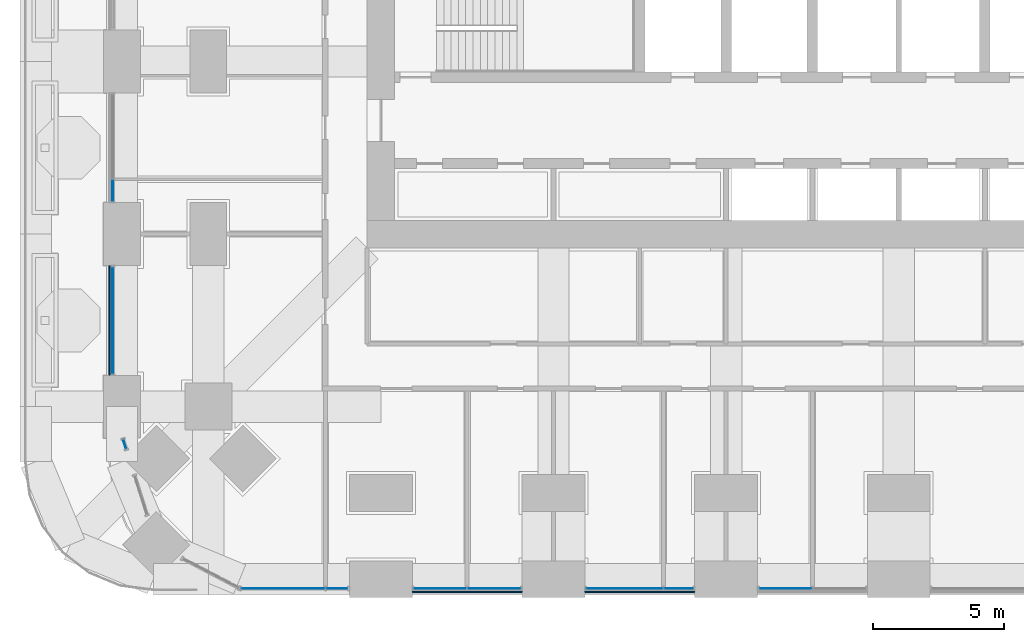
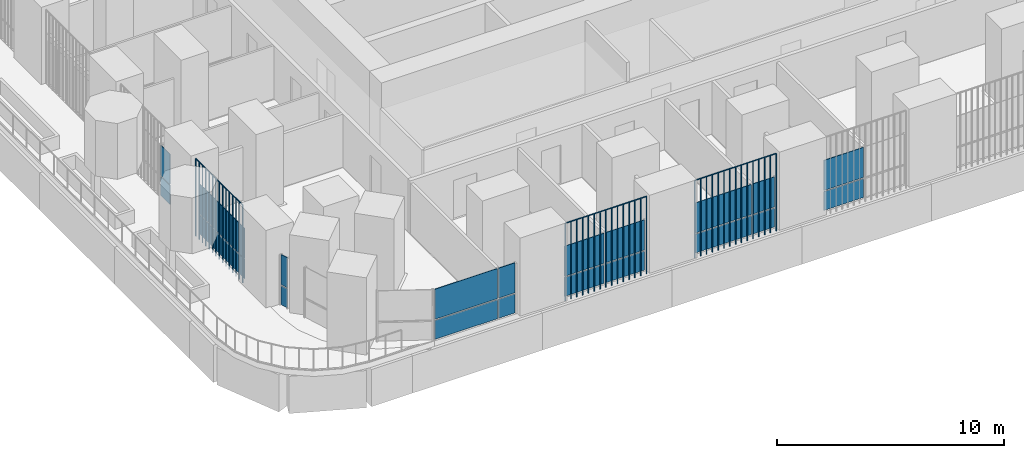
# One storey, part 10 of 27: 23 plates, 7 elements without a shape of their own.
"""IFC4 building model written with IfcOpenShell, lengths in metres."""

from ifc_helpers import new_model, si_unit, direction, frame, origin, origin_2d, place, context, subcontext, project, spatial, polyline, rectangle, outline, extrude, material, layer, layer_set, type_object, element, aggregate, save


model = new_model("IFC4")

# Units and contexts
model_context = context("Model", 3, precision=1e-05, world=origin(), true_north=direction((0.0, 1.0)))
body_context = subcontext(model_context, "Body", "Model", "MODEL_VIEW")
ifc_project = project(units=[si_unit("LENGTHUNIT", "METRE"), si_unit("AREAUNIT", "SQUARE_METRE"), si_unit("VOLUMEUNIT", "CUBIC_METRE"), si_unit("PLANEANGLEUNIT", "RADIAN"), si_unit("MASSUNIT", "GRAM", prefix="KILO")], contexts=[model_context])

# Site, building, storey
site_placement = place(None, origin())
site = spatial("IfcSite", under=ifc_project, at=site_placement, CompositionType="ELEMENT")
building_placement = place(site_placement, origin())
building = spatial("IfcBuilding", under=site, at=building_placement, Name="Cobogo Forest Laboratory Tower", CompositionType="ELEMENT")
storey_placement = place(building_placement, frame((0.0, 0.0, 82.199951171875)))
storey = spatial("IfcBuildingStorey", under=building, at=storey_placement, Name="L18", CompositionType="ELEMENT", Elevation=82.199951171875)

# Curtain wall, plates
ifc_material_1 = material(Name="Aluminium curtain wall", Category="aluminium")
curtain_wall_type = type_object("IfcCurtainWallType", Name="CW-1 unitised curtain wall, clear glazing, laboratory floors zones A and B", PredefinedType="USERDEFINED", material=ifc_material_1)
curtain_wall_1_placement = place(storey_placement, origin())
curtain_wall_1 = element("IfcCurtainWall", 1, at=curtain_wall_1_placement, inside=storey, type_object=curtain_wall_type, Name="Curtain wall 01 L18", ObjectType="UNITISED CURTAIN WALL", PredefinedType="USERDEFINED")
ifc_material_2 = material(Name="Clear insulated glass", Category="glass")
ifc_layer = layer(ifc_material_2, 0.028076171875)
ifc_layer_set = layer_set([ifc_layer], Name="GP-1 clear insulated glass unit 28")
plate_type_1 = type_object("IfcPlateType", Name="GP-1 clear insulated glass unit 28", PredefinedType="CURTAIN_PANEL", material=ifc_layer_set)
plate_1_placement = place(storey_placement, frame((9.452392578125, -0.35009765625, 0.0), z_axis=(0.0, 0.0, 1.0), x_axis=(1.0, 0.0, 0.0)))
plate_1 = element("IfcPlate", 2, at=plate_1_placement, type_object=plate_type_1, Name="CW-1 panel 1.1", PredefinedType="CURTAIN_PANEL", context=body_context, shape_type="SweptSolid", body=[
    extrude(rectangle(XDim=3.18505859375, YDim=0.028076171875, at=origin_2d()), origin(), (0.0, 0.0, 1.0), 1.02001953125),
])
plate_2_placement = place(storey_placement, frame((9.452392578125, -0.35009765625, 1.080078125), z_axis=(0.0, 0.0, 1.0), x_axis=(1.0, 0.0, 0.0)))
plate_2 = element("IfcPlate", 3, at=plate_2_placement, type_object=plate_type_1, Name="CW-1 panel 1.2", PredefinedType="CURTAIN_PANEL", context=body_context, shape_type="SweptSolid", body=[
    extrude(rectangle(XDim=3.18505859375, YDim=0.028076171875, at=origin_2d()), origin(), (0.0, 0.0, 1.0), 1.6201171875),
])
plate_3_placement = place(storey_placement, frame((11.5224609375, -0.35009765625, 0.0), z_axis=(0.0, 0.0, 1.0), x_axis=(1.0, 0.0, 0.0)))
plate_3 = element("IfcPlate", 4, at=plate_3_placement, type_object=plate_type_1, Name="CW-1 panel 2.1", PredefinedType="CURTAIN_PANEL", context=body_context, shape_type="SweptSolid", body=[
    extrude(rectangle(XDim=0.8349609375, YDim=0.028076171875, at=origin_2d()), origin(), (0.0, 0.0, 1.0), 1.02001953125),
])
plate_4_placement = place(storey_placement, frame((11.5224609375, -0.35009765625, 1.080078125), z_axis=(0.0, 0.0, 1.0), x_axis=(1.0, 0.0, 0.0)))
plate_4 = element("IfcPlate", 5, at=plate_4_placement, type_object=plate_type_1, Name="CW-1 panel 2.2", PredefinedType="CURTAIN_PANEL", context=body_context, shape_type="SweptSolid", body=[
    extrude(rectangle(XDim=0.8349609375, YDim=0.028076171875, at=origin_2d()), origin(), (0.0, 0.0, 1.0), 1.6201171875),
])
aggregate(curtain_wall_1, [plate_1, plate_2, plate_3, plate_4])

curtain_wall_2_placement = place(storey_placement, origin())
curtain_wall_2 = element("IfcCurtainWall", 6, at=curtain_wall_2_placement, inside=storey, type_object=curtain_wall_type, Name="Curtain wall 02 L18", ObjectType="UNITISED CURTAIN WALL", PredefinedType="USERDEFINED")
plate_5_placement = place(storey_placement, frame((15.465087890625, -0.35009765625, 0.0), z_axis=(0.0, 0.0, 1.0), x_axis=(1.0, 0.0, 0.0)))
plate_5 = element("IfcPlate", 7, at=plate_5_placement, type_object=plate_type_1, Name="CW-1 panel 1.1", PredefinedType="CURTAIN_PANEL", context=body_context, shape_type="SweptSolid", body=[
    extrude(rectangle(XDim=2.010009765625, YDim=0.028076171875, at=origin_2d()), origin(), (0.0, 0.0, 1.0), 1.02001953125),
])
plate_6_placement = place(storey_placement, frame((15.465087890625, -0.35009765625, 1.080078125), z_axis=(0.0, 0.0, 1.0), x_axis=(1.0, 0.0, 0.0)))
plate_6 = element("IfcPlate", 8, at=plate_6_placement, type_object=plate_type_1, Name="CW-1 panel 1.2", PredefinedType="CURTAIN_PANEL", context=body_context, shape_type="SweptSolid", body=[
    extrude(rectangle(XDim=2.010009765625, YDim=0.028076171875, at=origin_2d()), origin(), (0.0, 0.0, 1.0), 1.6201171875),
])
plate_7_placement = place(storey_placement, frame((17.534912109375, -0.35009765625, 0.0), z_axis=(0.0, 0.0, 1.0), x_axis=(1.0, 0.0, 0.0)))
plate_7 = element("IfcPlate", 9, at=plate_7_placement, type_object=plate_type_1, Name="CW-1 panel 2.1", PredefinedType="CURTAIN_PANEL", context=body_context, shape_type="SweptSolid", body=[
    extrude(rectangle(XDim=2.010009765625, YDim=0.028076171875, at=origin_2d()), origin(), (0.0, 0.0, 1.0), 1.02001953125),
])
plate_8_placement = place(storey_placement, frame((17.534912109375, -0.35009765625, 1.080078125), z_axis=(0.0, 0.0, 1.0), x_axis=(1.0, 0.0, 0.0)))
plate_8 = element("IfcPlate", 10, at=plate_8_placement, type_object=plate_type_1, Name="CW-1 panel 2.2", PredefinedType="CURTAIN_PANEL", context=body_context, shape_type="SweptSolid", body=[
    extrude(rectangle(XDim=2.010009765625, YDim=0.028076171875, at=origin_2d()), origin(), (0.0, 0.0, 1.0), 1.6201171875),
])
aggregate(curtain_wall_2, [plate_5, plate_6, plate_7, plate_8])

curtain_wall_3_placement = place(storey_placement, origin())
curtain_wall_3 = element("IfcCurtainWall", 11, at=curtain_wall_3_placement, inside=storey, type_object=curtain_wall_type, Name="Curtain wall 03 L18", ObjectType="UNITISED CURTAIN WALL", PredefinedType="USERDEFINED")
plate_9_placement = place(storey_placement, frame((22.514892578125, -0.35009765625, 0.0), z_axis=(0.0, 0.0, 1.0), x_axis=(1.0, 0.0, 0.0)))
plate_9 = element("IfcPlate", 12, at=plate_9_placement, type_object=plate_type_1, Name="CW-1 panel 1.1", PredefinedType="CURTAIN_PANEL", context=body_context, shape_type="SweptSolid", body=[
    extrude(rectangle(XDim=2.909912109375, YDim=0.028076171875, at=origin_2d()), origin(), (0.0, 0.0, 1.0), 1.02001953125),
])
plate_10_placement = place(storey_placement, frame((22.514892578125, -0.35009765625, 1.080078125), z_axis=(0.0, 0.0, 1.0), x_axis=(1.0, 0.0, 0.0)))
plate_10 = element("IfcPlate", 13, at=plate_10_placement, type_object=plate_type_1, Name="CW-1 panel 1.2", PredefinedType="CURTAIN_PANEL", context=body_context, shape_type="SweptSolid", body=[
    extrude(rectangle(XDim=2.909912109375, YDim=0.028076171875, at=origin_2d()), origin(), (0.0, 0.0, 1.0), 1.6201171875),
])
plate_11_placement = place(storey_placement, frame((24.5849609375, -0.35009765625, 0.0), z_axis=(0.0, 0.0, 1.0), x_axis=(1.0, 0.0, 0.0)))
plate_11 = element("IfcPlate", 14, at=plate_11_placement, type_object=plate_type_1, Name="CW-1 panel 2.1", PredefinedType="CURTAIN_PANEL", context=body_context, shape_type="SweptSolid", body=[
    extrude(rectangle(XDim=1.110107421875, YDim=0.028076171875, at=origin_2d()), origin(), (0.0, 0.0, 1.0), 1.02001953125),
])
plate_12_placement = place(storey_placement, frame((24.5849609375, -0.35009765625, 1.080078125), z_axis=(0.0, 0.0, 1.0), x_axis=(1.0, 0.0, 0.0)))
plate_12 = element("IfcPlate", 15, at=plate_12_placement, type_object=plate_type_1, Name="CW-1 panel 2.2", PredefinedType="CURTAIN_PANEL", context=body_context, shape_type="SweptSolid", body=[
    extrude(rectangle(XDim=1.110107421875, YDim=0.028076171875, at=origin_2d()), origin(), (0.0, 0.0, 1.0), 1.6201171875),
])
aggregate(curtain_wall_3, [plate_9, plate_10, plate_11, plate_12])

curtain_wall_4_placement = place(storey_placement, origin())
curtain_wall_4 = element("IfcCurtainWall", 16, at=curtain_wall_4_placement, inside=storey, type_object=curtain_wall_type, Name="Curtain wall 04 L18", ObjectType="UNITISED CURTAIN WALL", PredefinedType="USERDEFINED")
plate_13_placement = place(storey_placement, frame((28.6650390625, -0.35009765625, 0.0), z_axis=(0.0, 0.0, 1.0), x_axis=(1.0, 0.0, 0.0)))
plate_13 = element("IfcPlate", 17, at=plate_13_placement, type_object=plate_type_1, Name="CW-1 panel 1.1", PredefinedType="CURTAIN_PANEL", context=body_context, shape_type="SweptSolid", body=[
    extrude(rectangle(XDim=2.010009765625, YDim=0.028076171875, at=origin_2d()), origin(), (0.0, 0.0, 1.0), 1.02001953125),
])
plate_14_placement = place(storey_placement, frame((28.6650390625, -0.35009765625, 1.080078125), z_axis=(0.0, 0.0, 1.0), x_axis=(1.0, 0.0, 0.0)))
plate_14 = element("IfcPlate", 18, at=plate_14_placement, type_object=plate_type_1, Name="CW-1 panel 1.2", PredefinedType="CURTAIN_PANEL", context=body_context, shape_type="SweptSolid", body=[
    extrude(rectangle(XDim=2.010009765625, YDim=0.028076171875, at=origin_2d()), origin(), (0.0, 0.0, 1.0), 1.6201171875),
])
aggregate(curtain_wall_4, [plate_13, plate_14])

curtain_wall_5_placement = place(storey_placement, origin())
curtain_wall_5 = element("IfcCurtainWall", 19, at=curtain_wall_5_placement, inside=storey, type_object=curtain_wall_type, Name="Curtain wall 30 L18", ObjectType="UNITISED CURTAIN WALL", PredefinedType="USERDEFINED")
plate_15_placement = place(storey_placement, frame((2.949951171875, 14.864990234375, 0.0), z_axis=(0.0, 0.0, 1.0), x_axis=(0.0, -1.0, 0.0)))
plate_15 = element("IfcPlate", 20, at=plate_15_placement, type_object=plate_type_1, Name="CW-1 panel 2.1", PredefinedType="CURTAIN_PANEL", context=body_context, shape_type="SweptSolid", body=[
    extrude(rectangle(XDim=0.81005859375, YDim=0.028076171875, at=origin_2d()), origin(), (0.0, 0.0, 1.0), 1.02001953125),
])
plate_16_placement = place(storey_placement, frame((2.949951171875, 14.864990234375, 1.080078125), z_axis=(0.0, 0.0, 1.0), x_axis=(0.0, -1.0, 0.0)))
plate_16 = element("IfcPlate", 21, at=plate_16_placement, type_object=plate_type_1, Name="CW-1 panel 2.2", PredefinedType="CURTAIN_PANEL", context=body_context, shape_type="SweptSolid", body=[
    extrude(rectangle(XDim=0.81005859375, YDim=0.028076171875, at=origin_2d()), origin(), (0.0, 0.0, 1.0), 1.6201171875),
])
aggregate(curtain_wall_5, [plate_15, plate_16])

curtain_wall_6_placement = place(storey_placement, origin())
curtain_wall_6 = element("IfcCurtainWall", 22, at=curtain_wall_6_placement, inside=storey, type_object=curtain_wall_type, Name="Curtain wall 31 L18", ObjectType="UNITISED CURTAIN WALL", PredefinedType="USERDEFINED")
plate_17_placement = place(storey_placement, frame((2.949951171875, 9.89990234375, 0.0), z_axis=(0.0, 0.0, 1.0), x_axis=(0.0, -1.0, 0.0)))
plate_17 = element("IfcPlate", 23, at=plate_17_placement, type_object=plate_type_1, Name="CW-1 panel 1.1", PredefinedType="CURTAIN_PANEL", context=body_context, shape_type="SweptSolid", body=[
    extrude(rectangle(XDim=4.080078125, YDim=0.028076171875, at=origin_2d()), origin(), (0.0, 0.0, 1.0), 1.02001953125),
])
plate_18_placement = place(storey_placement, frame((2.949951171875, 9.89990234375, 1.080078125), z_axis=(0.0, 0.0, 1.0), x_axis=(0.0, -1.0, 0.0)))
plate_18 = element("IfcPlate", 24, at=plate_18_placement, type_object=plate_type_1, Name="CW-1 panel 1.2", PredefinedType="CURTAIN_PANEL", context=body_context, shape_type="SweptSolid", body=[
    extrude(rectangle(XDim=4.080078125, YDim=0.028076171875, at=origin_2d()), origin(), (0.0, 0.0, 1.0), 1.6201171875),
])
aggregate(curtain_wall_6, [plate_17, plate_18])

curtain_wall_7_placement = place(storey_placement, origin())
curtain_wall_7 = element("IfcCurtainWall", 25, at=curtain_wall_7_placement, inside=storey, type_object=curtain_wall_type, Name="Curtain wall 32 L18", ObjectType="UNITISED CURTAIN WALL", PredefinedType="USERDEFINED")
plate_19_placement = place(storey_placement, frame((3.402587890625, 5.16650390625, 0.0), z_axis=(0.0, 0.0, 1.0), x_axis=(0.301134593201, -0.953581646624, 0.0)))
plate_19 = element("IfcPlate", 26, at=plate_19_placement, type_object=plate_type_1, Name="CW-1 panel 1.1", PredefinedType="CURTAIN_PANEL", context=body_context, shape_type="SweptSolid", body=[
    extrude(rectangle(XDim=0.36962890625, YDim=0.028076171875, at=origin_2d()), origin(), (0.0, 0.0, 1.0), 1.02001953125),
])
plate_20_placement = place(storey_placement, frame((3.402587890625, 5.16650390625, 1.080078125), z_axis=(0.0, 0.0, 1.0), x_axis=(0.301134593201, -0.953581646624, 0.0)))
plate_20 = element("IfcPlate", 27, at=plate_20_placement, type_object=plate_type_1, Name="CW-1 panel 1.2", PredefinedType="CURTAIN_PANEL", context=body_context, shape_type="SweptSolid", body=[
    extrude(rectangle(XDim=0.36962890625, YDim=0.028076171875, at=origin_2d()), origin(), (0.0, 0.0, 1.0), 1.6201171875),
])
aggregate(curtain_wall_7, [plate_19, plate_20])

# Plates
ifc_material_3 = material(Name="Terracotta", Category="masonry")
plate_type_2 = type_object("IfcPlateType", Name="TB1 terracotta baguette screen", PredefinedType="USERDEFINED", material=ifc_material_3)
plate_21_placement = place(storey_placement, frame((14.43115234375, -0.477783203125, -0.14990234375)))
element("IfcPlate", 28, at=plate_21_placement, inside=storey, type_object=plate_type_2, Name="Baguette screen S1 L18", ObjectType="BAGUETTE SCREEN", PredefinedType="USERDEFINED", context=body_context, shape_type="SweptSolid", body=[
    extrude(outline(polyline([(0.02880859375, 0.011962890625), (0.011962890625, 0.02880859375), (-0.011962890625, 0.02880859375), (-0.02880859375, 0.011962890625), (-0.02880859375, -0.011962890625), (-0.011962890625, -0.02880859375), (0.011962890625, -0.02880859375), (0.02880859375, -0.011962890625), (0.02880859375, 0.011962890625)])), frame((0.0, 0.0, 4.168701171875), z_axis=(1.0, 0.0, 0.0), x_axis=(0.0, 1.0, 0.0)), (0.0, 0.0, 1.0), 4.1376953125),
    extrude(outline(polyline([(0.02880859375, 0.011962890625), (0.011962890625, 0.02880859375), (-0.011962890625, 0.02880859375), (-0.02880859375, 0.011962890625), (-0.02880859375, -0.011962890625), (-0.011962890625, -0.02880859375), (0.011962890625, -0.02880859375), (0.02880859375, -0.011962890625), (0.02880859375, 0.011962890625)])), origin(), (0.0, 0.0, 1.0), 4.137451171875),
    extrude(outline(polyline([(0.02880859375, 0.011962890625), (0.011962890625, 0.02880859375), (-0.011962890625, 0.02880859375), (-0.02880859375, 0.011962890625), (-0.02880859375, -0.011962890625), (-0.011962890625, -0.02880859375), (0.011962890625, -0.02880859375), (0.02880859375, -0.011962890625), (0.02880859375, 0.011962890625)])), frame((0.295654296875, 0.0, 0.0)), (0.0, 0.0, 1.0), 4.137451171875),
    extrude(outline(polyline([(0.02880859375, 0.011962890625), (0.011962890625, 0.02880859375), (-0.011962890625, 0.02880859375), (-0.02880859375, 0.011962890625), (-0.02880859375, -0.011962890625), (-0.011962890625, -0.02880859375), (0.011962890625, -0.02880859375), (0.02880859375, -0.011962890625), (0.02880859375, 0.011962890625)])), frame((0.591064453125, 0.0, 0.0)), (0.0, 0.0, 1.0), 4.137451171875),
    extrude(outline(polyline([(0.02880859375, 0.011962890625), (0.011962890625, 0.02880859375), (-0.011962890625, 0.02880859375), (-0.02880859375, 0.011962890625), (-0.02880859375, -0.011962890625), (-0.011962890625, -0.02880859375), (0.011962890625, -0.02880859375), (0.02880859375, -0.011962890625), (0.02880859375, 0.011962890625)])), frame((0.88671875, 0.0, 0.0)), (0.0, 0.0, 1.0), 4.137451171875),
    extrude(outline(polyline([(0.02880859375, 0.011962890625), (0.011962890625, 0.02880859375), (-0.011962890625, 0.02880859375), (-0.02880859375, 0.011962890625), (-0.02880859375, -0.011962890625), (-0.011962890625, -0.02880859375), (0.011962890625, -0.02880859375), (0.02880859375, -0.011962890625), (0.02880859375, 0.011962890625)])), frame((1.18212890625, 0.0, 0.0)), (0.0, 0.0, 1.0), 4.137451171875),
    extrude(outline(polyline([(0.02880859375, 0.011962890625), (0.011962890625, 0.02880859375), (-0.011962890625, 0.02880859375), (-0.02880859375, 0.011962890625), (-0.02880859375, -0.011962890625), (-0.011962890625, -0.02880859375), (0.011962890625, -0.02880859375), (0.02880859375, -0.011962890625), (0.02880859375, 0.011962890625)])), frame((1.477783203125, 0.0, 0.0)), (0.0, 0.0, 1.0), 4.137451171875),
    extrude(outline(polyline([(0.02880859375, 0.011962890625), (0.011962890625, 0.02880859375), (-0.011962890625, 0.02880859375), (-0.02880859375, 0.011962890625), (-0.02880859375, -0.011962890625), (-0.011962890625, -0.02880859375), (0.011962890625, -0.02880859375), (0.02880859375, -0.011962890625), (0.02880859375, 0.011962890625)])), frame((1.773193359375, 0.0, 0.0)), (0.0, 0.0, 1.0), 4.137451171875),
    extrude(outline(polyline([(0.02880859375, 0.011962890625), (0.011962890625, 0.02880859375), (-0.011962890625, 0.02880859375), (-0.02880859375, 0.011962890625), (-0.02880859375, -0.011962890625), (-0.011962890625, -0.02880859375), (0.011962890625, -0.02880859375), (0.02880859375, -0.011962890625), (0.02880859375, 0.011962890625)])), frame((2.06884765625, 0.0, 0.0)), (0.0, 0.0, 1.0), 4.137451171875),
    extrude(outline(polyline([(0.02880859375, 0.011962890625), (0.011962890625, 0.02880859375), (-0.011962890625, 0.02880859375), (-0.02880859375, 0.011962890625), (-0.02880859375, -0.011962890625), (-0.011962890625, -0.02880859375), (0.011962890625, -0.02880859375), (0.02880859375, -0.011962890625), (0.02880859375, 0.011962890625)])), frame((2.364501953125, 0.0, 0.0)), (0.0, 0.0, 1.0), 4.137451171875),
    extrude(outline(polyline([(0.02880859375, 0.011962890625), (0.011962890625, 0.02880859375), (-0.011962890625, 0.02880859375), (-0.02880859375, 0.011962890625), (-0.02880859375, -0.011962890625), (-0.011962890625, -0.02880859375), (0.011962890625, -0.02880859375), (0.02880859375, -0.011962890625), (0.02880859375, 0.011962890625)])), frame((2.659912109375, 0.0, 0.0)), (0.0, 0.0, 1.0), 4.137451171875),
    extrude(outline(polyline([(0.02880859375, 0.011962890625), (0.011962890625, 0.02880859375), (-0.011962890625, 0.02880859375), (-0.02880859375, 0.011962890625), (-0.02880859375, -0.011962890625), (-0.011962890625, -0.02880859375), (0.011962890625, -0.02880859375), (0.02880859375, -0.011962890625), (0.02880859375, 0.011962890625)])), frame((2.95556640625, 0.0, 0.0)), (0.0, 0.0, 1.0), 4.137451171875),
    extrude(outline(polyline([(0.02880859375, 0.011962890625), (0.011962890625, 0.02880859375), (-0.011962890625, 0.02880859375), (-0.02880859375, 0.011962890625), (-0.02880859375, -0.011962890625), (-0.011962890625, -0.02880859375), (0.011962890625, -0.02880859375), (0.02880859375, -0.011962890625), (0.02880859375, 0.011962890625)])), frame((3.2509765625, 0.0, 0.0)), (0.0, 0.0, 1.0), 4.137451171875),
    extrude(outline(polyline([(0.02880859375, 0.011962890625), (0.011962890625, 0.02880859375), (-0.011962890625, 0.02880859375), (-0.02880859375, 0.011962890625), (-0.02880859375, -0.011962890625), (-0.011962890625, -0.02880859375), (0.011962890625, -0.02880859375), (0.02880859375, -0.011962890625), (0.02880859375, 0.011962890625)])), frame((3.546630859375, 0.0, 0.0)), (0.0, 0.0, 1.0), 4.137451171875),
    extrude(outline(polyline([(0.02880859375, 0.011962890625), (0.011962890625, 0.02880859375), (-0.011962890625, 0.02880859375), (-0.02880859375, 0.011962890625), (-0.02880859375, -0.011962890625), (-0.011962890625, -0.02880859375), (0.011962890625, -0.02880859375), (0.02880859375, -0.011962890625), (0.02880859375, 0.011962890625)])), frame((3.842041015625, 0.0, 0.0)), (0.0, 0.0, 1.0), 4.137451171875),
    extrude(outline(polyline([(0.02880859375, 0.011962890625), (0.011962890625, 0.02880859375), (-0.011962890625, 0.02880859375), (-0.02880859375, 0.011962890625), (-0.02880859375, -0.011962890625), (-0.011962890625, -0.02880859375), (0.011962890625, -0.02880859375), (0.02880859375, -0.011962890625), (0.02880859375, 0.011962890625)])), frame((4.1376953125, 0.0, 0.0)), (0.0, 0.0, 1.0), 4.137451171875),
])
plate_22_placement = place(storey_placement, frame((21.03125, -0.477783203125, -0.14990234375)))
element("IfcPlate", 29, at=plate_22_placement, inside=storey, type_object=plate_type_2, Name="Baguette screen S2 L18", ObjectType="BAGUETTE SCREEN", PredefinedType="USERDEFINED", context=body_context, shape_type="SweptSolid", body=[
    extrude(outline(polyline([(0.02880859375, 0.011962890625), (0.011962890625, 0.02880859375), (-0.011962890625, 0.02880859375), (-0.02880859375, 0.011962890625), (-0.02880859375, -0.011962890625), (-0.011962890625, -0.02880859375), (0.011962890625, -0.02880859375), (0.02880859375, -0.011962890625), (0.02880859375, 0.011962890625)])), frame((0.0, 0.0, 4.168701171875), z_axis=(1.0, 0.0, 0.0), x_axis=(0.0, 1.0, 0.0)), (0.0, 0.0, 1.0), 4.137451171875),
    extrude(outline(polyline([(0.02880859375, 0.011962890625), (0.011962890625, 0.02880859375), (-0.011962890625, 0.02880859375), (-0.02880859375, 0.011962890625), (-0.02880859375, -0.011962890625), (-0.011962890625, -0.02880859375), (0.011962890625, -0.02880859375), (0.02880859375, -0.011962890625), (0.02880859375, 0.011962890625)])), origin(), (0.0, 0.0, 1.0), 4.137451171875),
    extrude(outline(polyline([(0.02880859375, 0.011962890625), (0.011962890625, 0.02880859375), (-0.011962890625, 0.02880859375), (-0.02880859375, 0.011962890625), (-0.02880859375, -0.011962890625), (-0.011962890625, -0.02880859375), (0.011962890625, -0.02880859375), (0.02880859375, -0.011962890625), (0.02880859375, 0.011962890625)])), frame((0.29541015625, 0.0, 0.0)), (0.0, 0.0, 1.0), 4.137451171875),
    extrude(outline(polyline([(0.02880859375, 0.011962890625), (0.011962890625, 0.02880859375), (-0.011962890625, 0.02880859375), (-0.02880859375, 0.011962890625), (-0.02880859375, -0.011962890625), (-0.011962890625, -0.02880859375), (0.011962890625, -0.02880859375), (0.02880859375, -0.011962890625), (0.02880859375, 0.011962890625)])), frame((0.591064453125, 0.0, 0.0)), (0.0, 0.0, 1.0), 4.137451171875),
    extrude(outline(polyline([(0.02880859375, 0.011962890625), (0.011962890625, 0.02880859375), (-0.011962890625, 0.02880859375), (-0.02880859375, 0.011962890625), (-0.02880859375, -0.011962890625), (-0.011962890625, -0.02880859375), (0.011962890625, -0.02880859375), (0.02880859375, -0.011962890625), (0.02880859375, 0.011962890625)])), frame((0.88671875, 0.0, 0.0)), (0.0, 0.0, 1.0), 4.137451171875),
    extrude(outline(polyline([(0.02880859375, 0.011962890625), (0.011962890625, 0.02880859375), (-0.011962890625, 0.02880859375), (-0.02880859375, 0.011962890625), (-0.02880859375, -0.011962890625), (-0.011962890625, -0.02880859375), (0.011962890625, -0.02880859375), (0.02880859375, -0.011962890625), (0.02880859375, 0.011962890625)])), frame((1.18212890625, 0.0, 0.0)), (0.0, 0.0, 1.0), 4.137451171875),
    extrude(outline(polyline([(0.02880859375, 0.011962890625), (0.011962890625, 0.02880859375), (-0.011962890625, 0.02880859375), (-0.02880859375, 0.011962890625), (-0.02880859375, -0.011962890625), (-0.011962890625, -0.02880859375), (0.011962890625, -0.02880859375), (0.02880859375, -0.011962890625), (0.02880859375, 0.011962890625)])), frame((1.4775390625, 0.0, 0.0)), (0.0, 0.0, 1.0), 4.137451171875),
    extrude(outline(polyline([(0.02880859375, 0.011962890625), (0.011962890625, 0.02880859375), (-0.011962890625, 0.02880859375), (-0.02880859375, 0.011962890625), (-0.02880859375, -0.011962890625), (-0.011962890625, -0.02880859375), (0.011962890625, -0.02880859375), (0.02880859375, -0.011962890625), (0.02880859375, 0.011962890625)])), frame((1.773193359375, 0.0, 0.0)), (0.0, 0.0, 1.0), 4.137451171875),
    extrude(outline(polyline([(0.02880859375, 0.011962890625), (0.011962890625, 0.02880859375), (-0.011962890625, 0.02880859375), (-0.02880859375, 0.011962890625), (-0.02880859375, -0.011962890625), (-0.011962890625, -0.02880859375), (0.011962890625, -0.02880859375), (0.02880859375, -0.011962890625), (0.02880859375, 0.011962890625)])), frame((2.06884765625, 0.0, 0.0)), (0.0, 0.0, 1.0), 4.137451171875),
    extrude(outline(polyline([(0.02880859375, 0.011962890625), (0.011962890625, 0.02880859375), (-0.011962890625, 0.02880859375), (-0.02880859375, 0.011962890625), (-0.02880859375, -0.011962890625), (-0.011962890625, -0.02880859375), (0.011962890625, -0.02880859375), (0.02880859375, -0.011962890625), (0.02880859375, 0.011962890625)])), frame((2.3642578125, 0.0, 0.0)), (0.0, 0.0, 1.0), 4.137451171875),
    extrude(outline(polyline([(0.02880859375, 0.011962890625), (0.011962890625, 0.02880859375), (-0.011962890625, 0.02880859375), (-0.02880859375, 0.011962890625), (-0.02880859375, -0.011962890625), (-0.011962890625, -0.02880859375), (0.011962890625, -0.02880859375), (0.02880859375, -0.011962890625), (0.02880859375, 0.011962890625)])), frame((2.65966796875, 0.0, 0.0)), (0.0, 0.0, 1.0), 4.137451171875),
    extrude(outline(polyline([(0.02880859375, 0.011962890625), (0.011962890625, 0.02880859375), (-0.011962890625, 0.02880859375), (-0.02880859375, 0.011962890625), (-0.02880859375, -0.011962890625), (-0.011962890625, -0.02880859375), (0.011962890625, -0.02880859375), (0.02880859375, -0.011962890625), (0.02880859375, 0.011962890625)])), frame((2.955322265625, 0.0, 0.0)), (0.0, 0.0, 1.0), 4.137451171875),
    extrude(outline(polyline([(0.02880859375, 0.011962890625), (0.011962890625, 0.02880859375), (-0.011962890625, 0.02880859375), (-0.02880859375, 0.011962890625), (-0.02880859375, -0.011962890625), (-0.011962890625, -0.02880859375), (0.011962890625, -0.02880859375), (0.02880859375, -0.011962890625), (0.02880859375, 0.011962890625)])), frame((3.2509765625, 0.0, 0.0)), (0.0, 0.0, 1.0), 4.137451171875),
    extrude(outline(polyline([(0.02880859375, 0.011962890625), (0.011962890625, 0.02880859375), (-0.011962890625, 0.02880859375), (-0.02880859375, 0.011962890625), (-0.02880859375, -0.011962890625), (-0.011962890625, -0.02880859375), (0.011962890625, -0.02880859375), (0.02880859375, -0.011962890625), (0.02880859375, 0.011962890625)])), frame((3.54638671875, 0.0, 0.0)), (0.0, 0.0, 1.0), 4.137451171875),
    extrude(outline(polyline([(0.02880859375, 0.011962890625), (0.011962890625, 0.02880859375), (-0.011962890625, 0.02880859375), (-0.02880859375, 0.011962890625), (-0.02880859375, -0.011962890625), (-0.011962890625, -0.02880859375), (0.011962890625, -0.02880859375), (0.02880859375, -0.011962890625), (0.02880859375, 0.011962890625)])), frame((3.841796875, 0.0, 0.0)), (0.0, 0.0, 1.0), 4.137451171875),
    extrude(outline(polyline([(0.02880859375, 0.011962890625), (0.011962890625, 0.02880859375), (-0.011962890625, 0.02880859375), (-0.02880859375, 0.011962890625), (-0.02880859375, -0.011962890625), (-0.011962890625, -0.02880859375), (0.011962890625, -0.02880859375), (0.02880859375, -0.011962890625), (0.02880859375, 0.011962890625)])), frame((4.137451171875, 0.0, 0.0)), (0.0, 0.0, 1.0), 4.137451171875),
])
plate_23_placement = place(storey_placement, frame((2.822021484375, 7.831298828125, -0.14990234375)))
element("IfcPlate", 30, at=plate_23_placement, inside=storey, type_object=plate_type_2, Name="Baguette screen W1 L18", ObjectType="BAGUETTE SCREEN", PredefinedType="USERDEFINED", context=body_context, shape_type="SweptSolid", body=[
    extrude(outline(polyline([(0.02880859375, 0.011962890625), (0.011962890625, 0.02880859375), (-0.011962890625, 0.02880859375), (-0.02880859375, 0.011962890625), (-0.02880859375, -0.011962890625), (-0.011962890625, -0.02880859375), (0.011962890625, -0.02880859375), (0.02880859375, -0.011962890625), (0.02880859375, 0.011962890625)])), frame((0.0, 0.0, 4.168701171875), z_axis=(0.0, 1.0, 0.0), x_axis=(-1.0, 0.0, 0.0)), (0.0, 0.0, 1.0), 4.137451171875),
    extrude(outline(polyline([(0.02880859375, 0.011962890625), (0.011962890625, 0.02880859375), (-0.011962890625, 0.02880859375), (-0.02880859375, 0.011962890625), (-0.02880859375, -0.011962890625), (-0.011962890625, -0.02880859375), (0.011962890625, -0.02880859375), (0.02880859375, -0.011962890625), (0.02880859375, 0.011962890625)])), origin(), (0.0, 0.0, 1.0), 4.137451171875),
    extrude(outline(polyline([(0.02880859375, 0.011962890625), (0.011962890625, 0.02880859375), (-0.011962890625, 0.02880859375), (-0.02880859375, 0.011962890625), (-0.02880859375, -0.011962890625), (-0.011962890625, -0.02880859375), (0.011962890625, -0.02880859375), (0.02880859375, -0.011962890625), (0.02880859375, 0.011962890625)])), frame((0.0, 0.29541015625, 0.0)), (0.0, 0.0, 1.0), 4.137451171875),
    extrude(outline(polyline([(0.02880859375, 0.011962890625), (0.011962890625, 0.02880859375), (-0.011962890625, 0.02880859375), (-0.02880859375, 0.011962890625), (-0.02880859375, -0.011962890625), (-0.011962890625, -0.02880859375), (0.011962890625, -0.02880859375), (0.02880859375, -0.011962890625), (0.02880859375, 0.011962890625)])), frame((0.0, 0.591064453125, 0.0)), (0.0, 0.0, 1.0), 4.137451171875),
    extrude(outline(polyline([(0.02880859375, 0.011962890625), (0.011962890625, 0.02880859375), (-0.011962890625, 0.02880859375), (-0.02880859375, 0.011962890625), (-0.02880859375, -0.011962890625), (-0.011962890625, -0.02880859375), (0.011962890625, -0.02880859375), (0.02880859375, -0.011962890625), (0.02880859375, 0.011962890625)])), frame((0.0, 0.88671875, 0.0)), (0.0, 0.0, 1.0), 4.137451171875),
    extrude(outline(polyline([(0.02880859375, 0.011962890625), (0.011962890625, 0.02880859375), (-0.011962890625, 0.02880859375), (-0.02880859375, 0.011962890625), (-0.02880859375, -0.011962890625), (-0.011962890625, -0.02880859375), (0.011962890625, -0.02880859375), (0.02880859375, -0.011962890625), (0.02880859375, 0.011962890625)])), frame((0.0, 1.18212890625, 0.0)), (0.0, 0.0, 1.0), 4.137451171875),
    extrude(outline(polyline([(0.02880859375, 0.011962890625), (0.011962890625, 0.02880859375), (-0.011962890625, 0.02880859375), (-0.02880859375, 0.011962890625), (-0.02880859375, -0.011962890625), (-0.011962890625, -0.02880859375), (0.011962890625, -0.02880859375), (0.02880859375, -0.011962890625), (0.02880859375, 0.011962890625)])), frame((0.0, 1.4775390625, 0.0)), (0.0, 0.0, 1.0), 4.137451171875),
    extrude(outline(polyline([(0.02880859375, 0.011962890625), (0.011962890625, 0.02880859375), (-0.011962890625, 0.02880859375), (-0.02880859375, 0.011962890625), (-0.02880859375, -0.011962890625), (-0.011962890625, -0.02880859375), (0.011962890625, -0.02880859375), (0.02880859375, -0.011962890625), (0.02880859375, 0.011962890625)])), frame((0.0, 1.773193359375, 0.0)), (0.0, 0.0, 1.0), 4.137451171875),
    extrude(outline(polyline([(0.02880859375, 0.011962890625), (0.011962890625, 0.02880859375), (-0.011962890625, 0.02880859375), (-0.02880859375, 0.011962890625), (-0.02880859375, -0.011962890625), (-0.011962890625, -0.02880859375), (0.011962890625, -0.02880859375), (0.02880859375, -0.011962890625), (0.02880859375, 0.011962890625)])), frame((0.0, 2.06884765625, 0.0)), (0.0, 0.0, 1.0), 4.137451171875),
    extrude(outline(polyline([(0.02880859375, 0.011962890625), (0.011962890625, 0.02880859375), (-0.011962890625, 0.02880859375), (-0.02880859375, 0.011962890625), (-0.02880859375, -0.011962890625), (-0.011962890625, -0.02880859375), (0.011962890625, -0.02880859375), (0.02880859375, -0.011962890625), (0.02880859375, 0.011962890625)])), frame((0.0, 2.3642578125, 0.0)), (0.0, 0.0, 1.0), 4.137451171875),
    extrude(outline(polyline([(0.02880859375, 0.011962890625), (0.011962890625, 0.02880859375), (-0.011962890625, 0.02880859375), (-0.02880859375, 0.011962890625), (-0.02880859375, -0.011962890625), (-0.011962890625, -0.02880859375), (0.011962890625, -0.02880859375), (0.02880859375, -0.011962890625), (0.02880859375, 0.011962890625)])), frame((0.0, 2.65966796875, 0.0)), (0.0, 0.0, 1.0), 4.137451171875),
    extrude(outline(polyline([(0.02880859375, 0.011962890625), (0.011962890625, 0.02880859375), (-0.011962890625, 0.02880859375), (-0.02880859375, 0.011962890625), (-0.02880859375, -0.011962890625), (-0.011962890625, -0.02880859375), (0.011962890625, -0.02880859375), (0.02880859375, -0.011962890625), (0.02880859375, 0.011962890625)])), frame((0.0, 2.955322265625, 0.0)), (0.0, 0.0, 1.0), 4.137451171875),
    extrude(outline(polyline([(0.02880859375, 0.011962890625), (0.011962890625, 0.02880859375), (-0.011962890625, 0.02880859375), (-0.02880859375, 0.011962890625), (-0.02880859375, -0.011962890625), (-0.011962890625, -0.02880859375), (0.011962890625, -0.02880859375), (0.02880859375, -0.011962890625), (0.02880859375, 0.011962890625)])), frame((0.0, 3.2509765625, 0.0)), (0.0, 0.0, 1.0), 4.137451171875),
    extrude(outline(polyline([(0.02880859375, 0.011962890625), (0.011962890625, 0.02880859375), (-0.011962890625, 0.02880859375), (-0.02880859375, 0.011962890625), (-0.02880859375, -0.011962890625), (-0.011962890625, -0.02880859375), (0.011962890625, -0.02880859375), (0.02880859375, -0.011962890625), (0.02880859375, 0.011962890625)])), frame((0.0, 3.54638671875, 0.0)), (0.0, 0.0, 1.0), 4.137451171875),
    extrude(outline(polyline([(0.02880859375, 0.011962890625), (0.011962890625, 0.02880859375), (-0.011962890625, 0.02880859375), (-0.02880859375, 0.011962890625), (-0.02880859375, -0.011962890625), (-0.011962890625, -0.02880859375), (0.011962890625, -0.02880859375), (0.02880859375, -0.011962890625), (0.02880859375, 0.011962890625)])), frame((0.0, 3.841796875, 0.0)), (0.0, 0.0, 1.0), 4.137451171875),
    extrude(outline(polyline([(0.02880859375, 0.011962890625), (0.011962890625, 0.02880859375), (-0.011962890625, 0.02880859375), (-0.02880859375, 0.011962890625), (-0.02880859375, -0.011962890625), (-0.011962890625, -0.02880859375), (0.011962890625, -0.02880859375), (0.02880859375, -0.011962890625), (0.02880859375, 0.011962890625)])), frame((0.0, 4.137451171875, 0.0)), (0.0, 0.0, 1.0), 4.137451171875),
])

save(model, "model.ifc")
